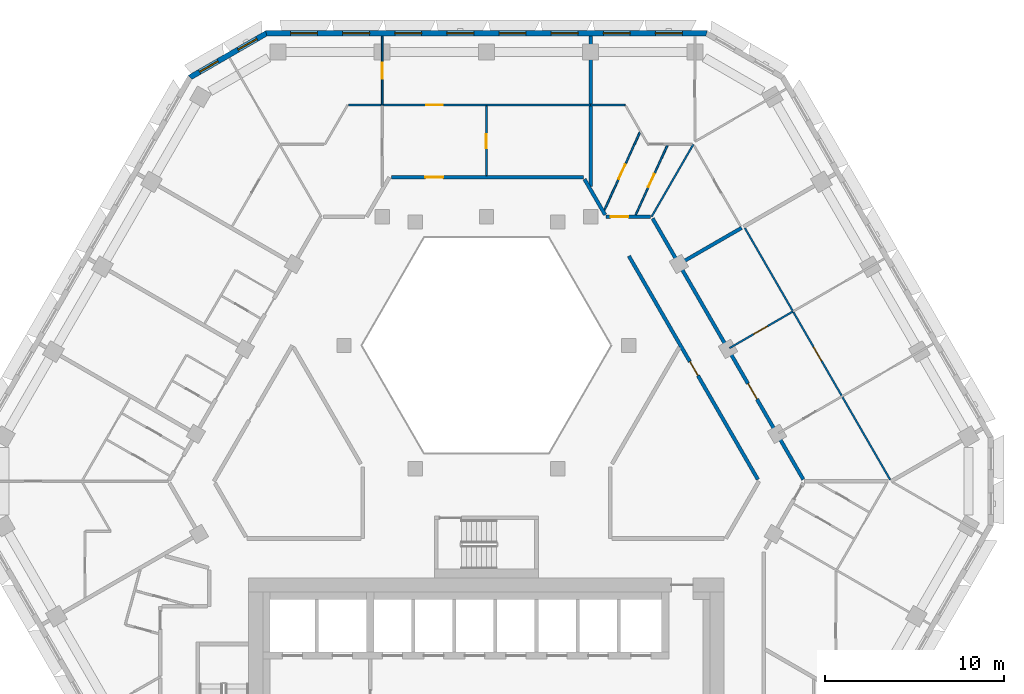
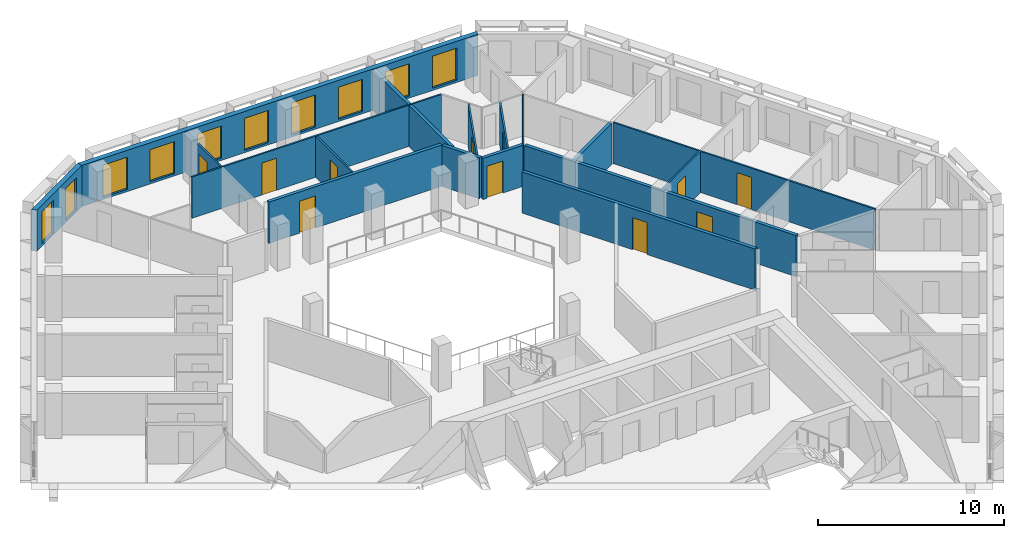
# One storey, part 8 of 17: 18 walls, 11 doors, 10 windows, 21 openings.
"""IFC4 building model written with IfcOpenShell, lengths in metres."""

import ifcopenshell
import ifcopenshell.guid

model = None  # the IFC model being written
_history = None  # IfcOwnerHistory: only IFC2X3 demands one
_inside = {}  # id of a spatial element -> (the spatial element, [elements in it])
_under = {}  # id of a project, library or spatial element -> (it, [spatial elements below it])
_declared = {}  # id of a project -> (the project, [libraries it declares])
_typed = {}  # id of a type object -> (the type object, [elements of that type])
_made_of = {}  # id of a material, layer set ... -> (it, [elements and type objects made of it])


def new_model(schema):
    """Start an empty IFC model of exactly this schema.

    Asked for "IFC4X3", IfcOpenShell would pick the latest addendum, in which some entities
    have other attributes; the version numbers below select the first issue.
    IFC2X3 requires an IfcOwnerHistory on every rooted entity: one is made here for all.
    """
    global model, _history
    if schema == "IFC4X3":
        model = ifcopenshell.file(schema_version=(4, 3, 0, 0))
    else:
        model = ifcopenshell.file(schema=schema)
    _inside.clear()
    _under.clear()
    _declared.clear()
    _typed.clear()
    _made_of.clear()
    _history = None
    if model.schema == "IFC2X3":
        org = make("IfcOrganization", Name="unknown")
        user = make(
            "IfcPersonAndOrganization",
            ThePerson=make("IfcPerson", FamilyName="unknown"),
            TheOrganization=org,
        )
        app = make(
            "IfcApplication",
            ApplicationDeveloper=org,
            Version="unknown",
            ApplicationFullName="unknown",
            ApplicationIdentifier="unknown",
        )
        _history = make(
            "IfcOwnerHistory",
            OwningUser=user,
            OwningApplication=app,
            ChangeAction="ADDED",
            CreationDate=0,
        )
    return model


def make(cls, **values):
    """One entity of the class cls with the attributes given. An attribute that is None is left unset."""
    return model.create_entity(
        cls, **{name: value for name, value in values.items() if value is not None}
    )


def rooted(cls, **values):
    """An entity with a GlobalId (a new one), such as an element, a storey or a relation."""
    return make(cls, GlobalId=ifcopenshell.guid.new(), OwnerHistory=_history, **values)


def si_unit(unit_type, name, prefix=None):
    """IfcSIUnit, for example si_unit("LENGTHUNIT", "METRE", prefix="MILLI")."""
    return make("IfcSIUnit", UnitType=unit_type, Prefix=prefix, Name=name)


def assignment(units):
    """IfcUnitAssignment: the units of a project."""
    return None if units is None else make("IfcUnitAssignment", Units=units)


def point(xyz):
    """IfcCartesianPoint."""
    return None if xyz is None else make("IfcCartesianPoint", Coordinates=xyz)


def direction(xyz):
    """IfcDirection."""
    return None if xyz is None else make("IfcDirection", DirectionRatios=xyz)


def frame(location, z_axis=None, x_axis=None):
    """IfcAxis2Placement3D, a coordinate frame: its origin and axes. An axis left out is left unset."""
    return make(
        "IfcAxis2Placement3D",
        Location=point(location),
        Axis=direction(z_axis),
        RefDirection=direction(x_axis),
    )


def frame_2d(location, x_axis=None):
    """IfcAxis2Placement2D, a coordinate frame in the plane: its origin and x axis."""
    return make(
        "IfcAxis2Placement2D", Location=point(location), RefDirection=direction(x_axis)
    )


def origin():
    """The frame at (0, 0, 0) with its axes left unset."""
    return frame((0.0, 0.0, 0.0))


def place(relative_to, where):
    """IfcLocalPlacement: puts the frame where relative to a parent placement (None: the world)."""
    return make(
        "IfcLocalPlacement", PlacementRelTo=relative_to, RelativePlacement=where
    )


def context(
    kind, dimensions, precision=None, world=None, true_north=None, identifier=None
):
    """IfcGeometricRepresentationContext, for example the 3D "Model" context."""
    return make(
        "IfcGeometricRepresentationContext",
        ContextIdentifier=identifier,
        ContextType=kind,
        CoordinateSpaceDimension=dimensions,
        Precision=precision,
        WorldCoordinateSystem=world,
        TrueNorth=true_north,
    )


def subcontext(parent, identifier, kind, view, scale=None):
    """IfcGeometricRepresentationSubContext, for example "Body" below "Model"."""
    return make(
        "IfcGeometricRepresentationSubContext",
        ContextIdentifier=identifier,
        ContextType=kind,
        ParentContext=parent,
        TargetScale=scale,
        TargetView=view,
    )


def project(units=None, contexts=None):
    """IfcProject with its units and contexts."""
    return rooted(
        "IfcProject",
        Name="project",
        RepresentationContexts=contexts,
        UnitsInContext=assignment(units),
    )


def spatial(cls, under=None, at=None, **own):
    """A site, building, storey or space (cls), placed at a placement, below another one or the project."""
    s = rooted(cls, ObjectPlacement=at, **own)
    if under is not None:
        _under.setdefault(under.id(), (under, []))[1].append(s)
    return s


def polyline(points):
    """IfcPolyline through the points."""
    return make("IfcPolyline", Points=[point(p) for p in points])


def profile(cls, at=None, kind="AREA", **sizes):
    """A parametric profile (cls). Its sizes go by their IFC names, for example OverallWidth=200.0."""
    return make(cls, ProfileType=kind, Position=at, **sizes)


def rectangle(**sizes):
    """IfcRectangleProfileDef."""
    return profile("IfcRectangleProfileDef", **sizes)


def outline(outer, holes=None, kind="AREA"):
    """IfcArbitraryClosedProfileDef: a profile drawn as a closed curve; with holes, ...WithVoids."""
    if holes is None:
        return make("IfcArbitraryClosedProfileDef", ProfileType=kind, OuterCurve=outer)
    return make(
        "IfcArbitraryProfileDefWithVoids",
        ProfileType=kind,
        OuterCurve=outer,
        InnerCurves=holes,
    )


def extrude(swept, where, along, depth):
    """IfcExtrudedAreaSolid: the profile swept, set in the frame where, extruded along a direction by depth."""
    return make(
        "IfcExtrudedAreaSolid",
        SweptArea=swept,
        Position=where,
        ExtrudedDirection=direction(along),
        Depth=depth,
    )


def shape(context_of_items, identifier, shape_type, items):
    """IfcShapeRepresentation: the items that make up one representation, for example the "Body"."""
    return make(
        "IfcShapeRepresentation",
        ContextOfItems=context_of_items,
        RepresentationIdentifier=identifier,
        RepresentationType=shape_type,
        Items=items,
    )


def material(Name=None, Category=None):
    """IfcMaterial."""
    return make("IfcMaterial", Name=Name, Category=Category)


def layer(
    of_material, thickness, ventilated=None, Name=None, Category=None, Priority=None
):
    """IfcMaterialLayer: one layer of a wall or slab, of a material (None: an air gap)."""
    return make(
        "IfcMaterialLayer",
        Material=of_material,
        LayerThickness=thickness,
        IsVentilated=ventilated,
        Name=Name,
        Category=Category,
        Priority=Priority,
    )


def layer_set(layers, Name=None):
    """IfcMaterialLayerSet."""
    return make("IfcMaterialLayerSet", MaterialLayers=layers, LayerSetName=Name)


def made_of(thing, what):
    """Note that an element or type object is made of a material, layer set ...; save() writes the relation."""
    if what is not None:
        _made_of.setdefault(what.id(), (what, []))[1].append(thing)
    return thing


def type_object(cls, material=None, **own):
    """A type object (cls), such as IfcWallType, which elements share."""
    return made_of(rooted(cls, **own), material)


def element(
    cls,
    number,
    at=None,
    inside=None,
    cuts=None,
    type_object=None,
    material=None,
    context=None,
    identifier="Body",
    shape_type=None,
    held_by="IfcProductDefinitionShape",
    body=None,
    shapes=None,
    **own,
):
    """One element of the class cls, such as IfcWall. Its Tag is "e" and its number.

    at: its placement. inside: the storey or other place that contains it. cuts: it is an
    opening in that element (IfcRelVoidsElement). A single representation is given by context,
    identifier, shape_type and body (its items); several are given by shapes. held_by: the class
    of the entity that holds the representations. save() writes the other relations.
    """
    e = rooted(cls, Tag="e%d" % number, ObjectPlacement=at, **own)
    if body is not None:
        shapes = [shape(context, identifier, shape_type, body)]
    if shapes is not None:
        e.Representation = make(held_by, Representations=shapes)
    if inside is not None:
        _inside.setdefault(inside.id(), (inside, []))[1].append(e)
    if cuts is not None:
        rooted(
            "IfcRelVoidsElement", RelatingBuildingElement=cuts, RelatedOpeningElement=e
        )
    if type_object is not None:
        _typed.setdefault(type_object.id(), (type_object, []))[1].append(e)
    return made_of(e, material)


def fill(opening, filler):
    """IfcRelFillsElement: the door or window that sits in an opening."""
    return rooted(
        "IfcRelFillsElement",
        RelatingOpeningElement=opening,
        RelatedBuildingElement=filler,
    )


def aggregate(whole, parts):
    """IfcRelAggregates: a whole, such as a stair, and the parts it consists of."""
    return rooted("IfcRelAggregates", RelatingObject=whole, RelatedObjects=parts)


def save(model, path):
    """Write the relations noted so far, then the file.

    IfcRelAggregates (storeys below a building ...), IfcRelContainedInSpatialStructure (elements
    in a storey), IfcRelDefinesByType, IfcRelAssociatesMaterial and IfcRelDeclares: one each for
    every whole, place, type object, material and project.
    """
    for whole, parts in _under.values():
        aggregate(whole, parts)
    for where, things in _inside.values():
        rooted(
            "IfcRelContainedInSpatialStructure",
            RelatedElements=things,
            RelatingStructure=where,
        )
    for kind, things in _typed.values():
        rooted("IfcRelDefinesByType", RelatedObjects=things, RelatingType=kind)
    for what, things in _made_of.values():
        rooted("IfcRelAssociatesMaterial", RelatedObjects=things, RelatingMaterial=what)
    for by, libraries in _declared.values():
        rooted("IfcRelDeclares", RelatingContext=by, RelatedDefinitions=libraries)
    model.write(path)


model = new_model("IFC4")

# Units and contexts
model_context = context("Model", 3, precision=1e-05, world=origin(), true_north=direction((0.0, 1.0)))
body_context = subcontext(model_context, "Body", "Model", "MODEL_VIEW")
ifc_project = project(units=[si_unit("LENGTHUNIT", "METRE"), si_unit("AREAUNIT", "SQUARE_METRE"), si_unit("VOLUMEUNIT", "CUBIC_METRE"), si_unit("PLANEANGLEUNIT", "RADIAN"), si_unit("MASSUNIT", "GRAM", prefix="KILO")], contexts=[model_context])

# Site, building, storey
site_placement = place(None, origin())
site = spatial("IfcSite", under=ifc_project, at=site_placement, CompositionType="ELEMENT")
building_placement = place(site_placement, origin())
building = spatial("IfcBuilding", under=site, at=building_placement, Name="Beryl Residences", CompositionType="ELEMENT")
storey_placement = place(building_placement, frame((0.0, 0.0, 120.60009765625)))
storey = spatial("IfcBuildingStorey", under=building, at=storey_placement, Name="L36", CompositionType="ELEMENT", Elevation=120.60009765625)

# Wall, openings, windows
ifc_material_1 = material(Name="Composite metal panel with mineral wool insulation")
ifc_layer_1 = layer(ifc_material_1, 0.300048828125)
ifc_layer_set_1 = layer_set([ifc_layer_1], Name="ES1 pale metal composite panel wall 300 mm")
wall_type_1 = type_object("IfcWallType", Name="ES1 pale metal composite panel wall 300 mm", PredefinedType="SOLIDWALL", material=ifc_layer_set_1)
wall_1_placement = place(storey_placement, frame((12.35498046875, 25.449951171875, 0.0), z_axis=(0.0, 0.0, 1.0), x_axis=(-1.0, 0.0, 0.0)))
wall_1 = element("IfcWall", 1, at=wall_1_placement, inside=storey, type_object=wall_type_1, Name="ES1 external wall L36 N", PredefinedType="SOLIDWALL", context=body_context, shape_type="SweptSolid", body=[
    extrude(outline(polyline([(0.0, -0.14990234375), (24.7099609375, -0.14990234375), (24.629638671875, 0.14990234375), (0.080322265625, 0.14990234375), (0.0, -0.14990234375)])), origin(), (0.0, 0.0, 1.0), 2.699951171875),
])
opening_1_placement = place(wall_1_placement, frame((1.40087890625, 0.0, 0.14990234375)))
opening_1 = element("IfcOpeningElement", 2, at=opening_1_placement, cuts=wall_1, Name="Opening W1", PredefinedType="OPENING", context=body_context, shape_type="SweptSolid", body=[
    extrude(rectangle(XDim=1.5, YDim=2.10009765625, at=frame_2d((0.75, 1.050048828125))), frame((0.0, 0.159912109375, 0.0), z_axis=(0.0, -1.0, 0.0), x_axis=(1.0, 0.0, 0.0)), (0.0, 0.0, 1.0), 0.320068359375),
])
opening_2_placement = place(wall_1_placement, frame((4.31591796875, 0.0, 0.14990234375)))
opening_2 = element("IfcOpeningElement", 3, at=opening_2_placement, cuts=wall_1, Name="Opening W1", PredefinedType="OPENING", context=body_context, shape_type="SweptSolid", body=[
    extrude(rectangle(XDim=1.5, YDim=2.10009765625, at=frame_2d((0.75, 1.050048828125))), frame((0.0, 0.159912109375, 0.0), z_axis=(0.0, -1.0, 0.0), x_axis=(1.0, 0.0, 0.0)), (0.0, 0.0, 1.0), 0.320068359375),
])
opening_3_placement = place(wall_1_placement, frame((7.23193359375, 0.0, 0.14990234375)))
opening_3 = element("IfcOpeningElement", 4, at=opening_3_placement, cuts=wall_1, Name="Opening W1", PredefinedType="OPENING", context=body_context, shape_type="SweptSolid", body=[
    extrude(rectangle(XDim=1.5, YDim=2.10009765625, at=frame_2d((0.75, 1.050048828125))), frame((0.0, 0.159912109375, 0.0), z_axis=(0.0, -1.0, 0.0), x_axis=(1.0, 0.0, 0.0)), (0.0, 0.0, 1.0), 0.320068359375),
])
opening_4_placement = place(wall_1_placement, frame((10.14697265625, 0.0, 0.14990234375)))
opening_4 = element("IfcOpeningElement", 5, at=opening_4_placement, cuts=wall_1, Name="Opening W1", PredefinedType="OPENING", context=body_context, shape_type="SweptSolid", body=[
    extrude(rectangle(XDim=1.5, YDim=2.10009765625, at=frame_2d((0.75, 1.050048828125))), frame((0.0, 0.159912109375, 0.0), z_axis=(0.0, -1.0, 0.0), x_axis=(1.0, 0.0, 0.0)), (0.0, 0.0, 1.0), 0.320068359375),
])
opening_5_placement = place(wall_1_placement, frame((13.06298828125, 0.0, 0.14990234375)))
opening_5 = element("IfcOpeningElement", 6, at=opening_5_placement, cuts=wall_1, Name="Opening W1", PredefinedType="OPENING", context=body_context, shape_type="SweptSolid", body=[
    extrude(rectangle(XDim=1.5, YDim=2.10009765625, at=frame_2d((0.75, 1.050048828125))), frame((0.0, 0.159912109375, 0.0), z_axis=(0.0, -1.0, 0.0), x_axis=(1.0, 0.0, 0.0)), (0.0, 0.0, 1.0), 0.320068359375),
])
opening_6_placement = place(wall_1_placement, frame((15.97802734375, 0.0, 0.14990234375)))
opening_6 = element("IfcOpeningElement", 7, at=opening_6_placement, cuts=wall_1, Name="Opening W1", PredefinedType="OPENING", context=body_context, shape_type="SweptSolid", body=[
    extrude(rectangle(XDim=1.5, YDim=2.10009765625, at=frame_2d((0.75, 1.050048828125))), frame((0.0, 0.159912109375, 0.0), z_axis=(0.0, -1.0, 0.0), x_axis=(1.0, 0.0, 0.0)), (0.0, 0.0, 1.0), 0.320068359375),
])
opening_7_placement = place(wall_1_placement, frame((18.89404296875, 0.0, 0.14990234375)))
opening_7 = element("IfcOpeningElement", 8, at=opening_7_placement, cuts=wall_1, Name="Opening W1", PredefinedType="OPENING", context=body_context, shape_type="SweptSolid", body=[
    extrude(rectangle(XDim=1.5, YDim=2.10009765625, at=frame_2d((0.75, 1.050048828125))), frame((0.0, 0.159912109375, 0.0), z_axis=(0.0, -1.0, 0.0), x_axis=(1.0, 0.0, 0.0)), (0.0, 0.0, 1.0), 0.320068359375),
])
opening_8_placement = place(wall_1_placement, frame((21.80908203125, 0.0, 0.14990234375)))
opening_8 = element("IfcOpeningElement", 9, at=opening_8_placement, cuts=wall_1, Name="Opening W1", PredefinedType="OPENING", context=body_context, shape_type="SweptSolid", body=[
    extrude(rectangle(XDim=1.5, YDim=2.10009765625, at=frame_2d((0.75, 1.050048828125))), frame((0.0, 0.159912109375, 0.0), z_axis=(0.0, -1.0, 0.0), x_axis=(1.0, 0.0, 0.0)), (0.0, 0.0, 1.0), 0.320068359375),
])
ifc_material_2 = material(Name="Aluminium and clear glass", Category="aluminium")
window_type_1 = type_object("IfcWindowType", Name="W1 cell window 1500 x 2100 mm", PartitioningType="SINGLE_PANEL", PredefinedType="WINDOW", material=ifc_material_2)
window_1_placement = place(opening_1_placement, origin())
window_1 = element("IfcWindow", 10, at=window_1_placement, inside=storey, type_object=window_type_1, Name="W1 window L36 N 1", OverallHeight=2.10009765625, OverallWidth=1.5, PartitioningType="SINGLE_PANEL", PredefinedType="WINDOW", context=body_context, shape_type="SweptSolid", body=[
    extrude(rectangle(XDim=1.5, YDim=2.10009765625, at=frame_2d((0.75, 1.050048828125))), frame((0.0, 0.030029296875, 0.0), z_axis=(0.0, -1.0, 0.0), x_axis=(1.0, 0.0, 0.0)), (0.0, 0.0, 1.0), 0.06005859375),
])
fill(opening_1, window_1)
window_2_placement = place(opening_2_placement, origin())
window_2 = element("IfcWindow", 11, at=window_2_placement, inside=storey, type_object=window_type_1, Name="W1 window L36 N 2", OverallHeight=2.10009765625, OverallWidth=1.5, PartitioningType="SINGLE_PANEL", PredefinedType="WINDOW", context=body_context, shape_type="SweptSolid", body=[
    extrude(rectangle(XDim=1.5, YDim=2.10009765625, at=frame_2d((0.75, 1.050048828125))), frame((0.0, 0.030029296875, 0.0), z_axis=(0.0, -1.0, 0.0), x_axis=(1.0, 0.0, 0.0)), (0.0, 0.0, 1.0), 0.06005859375),
])
fill(opening_2, window_2)
window_3_placement = place(opening_3_placement, origin())
window_3 = element("IfcWindow", 12, at=window_3_placement, inside=storey, type_object=window_type_1, Name="W1 window L36 N 3", OverallHeight=2.10009765625, OverallWidth=1.5, PartitioningType="SINGLE_PANEL", PredefinedType="WINDOW", context=body_context, shape_type="SweptSolid", body=[
    extrude(rectangle(XDim=1.5, YDim=2.10009765625, at=frame_2d((0.75, 1.050048828125))), frame((0.0, 0.030029296875, 0.0), z_axis=(0.0, -1.0, 0.0), x_axis=(1.0, 0.0, 0.0)), (0.0, 0.0, 1.0), 0.06005859375),
])
fill(opening_3, window_3)
window_4_placement = place(opening_4_placement, origin())
window_4 = element("IfcWindow", 13, at=window_4_placement, inside=storey, type_object=window_type_1, Name="W1 window L36 N 4", OverallHeight=2.10009765625, OverallWidth=1.5, PartitioningType="SINGLE_PANEL", PredefinedType="WINDOW", context=body_context, shape_type="SweptSolid", body=[
    extrude(rectangle(XDim=1.5, YDim=2.10009765625, at=frame_2d((0.75, 1.050048828125))), frame((0.0, 0.030029296875, 0.0), z_axis=(0.0, -1.0, 0.0), x_axis=(1.0, 0.0, 0.0)), (0.0, 0.0, 1.0), 0.06005859375),
])
fill(opening_4, window_4)
window_5_placement = place(opening_5_placement, origin())
window_5 = element("IfcWindow", 14, at=window_5_placement, inside=storey, type_object=window_type_1, Name="W1 window L36 N 5", OverallHeight=2.10009765625, OverallWidth=1.5, PartitioningType="SINGLE_PANEL", PredefinedType="WINDOW", context=body_context, shape_type="SweptSolid", body=[
    extrude(rectangle(XDim=1.5, YDim=2.10009765625, at=frame_2d((0.75, 1.050048828125))), frame((0.0, 0.030029296875, 0.0), z_axis=(0.0, -1.0, 0.0), x_axis=(1.0, 0.0, 0.0)), (0.0, 0.0, 1.0), 0.06005859375),
])
fill(opening_5, window_5)
window_6_placement = place(opening_6_placement, origin())
window_6 = element("IfcWindow", 15, at=window_6_placement, inside=storey, type_object=window_type_1, Name="W1 window L36 N 6", OverallHeight=2.10009765625, OverallWidth=1.5, PartitioningType="SINGLE_PANEL", PredefinedType="WINDOW", context=body_context, shape_type="SweptSolid", body=[
    extrude(rectangle(XDim=1.5, YDim=2.10009765625, at=frame_2d((0.75, 1.050048828125))), frame((0.0, 0.030029296875, 0.0), z_axis=(0.0, -1.0, 0.0), x_axis=(1.0, 0.0, 0.0)), (0.0, 0.0, 1.0), 0.06005859375),
])
fill(opening_6, window_6)
window_7_placement = place(opening_7_placement, origin())
window_7 = element("IfcWindow", 16, at=window_7_placement, inside=storey, type_object=window_type_1, Name="W1 window L36 N 7", OverallHeight=2.10009765625, OverallWidth=1.5, PartitioningType="SINGLE_PANEL", PredefinedType="WINDOW", context=body_context, shape_type="SweptSolid", body=[
    extrude(rectangle(XDim=1.5, YDim=2.10009765625, at=frame_2d((0.75, 1.050048828125))), frame((0.0, 0.030029296875, 0.0), z_axis=(0.0, -1.0, 0.0), x_axis=(1.0, 0.0, 0.0)), (0.0, 0.0, 1.0), 0.06005859375),
])
fill(opening_7, window_7)
window_8_placement = place(opening_8_placement, origin())
window_8 = element("IfcWindow", 17, at=window_8_placement, inside=storey, type_object=window_type_1, Name="W1 window L36 N 8", OverallHeight=2.10009765625, OverallWidth=1.5, PartitioningType="SINGLE_PANEL", PredefinedType="WINDOW", context=body_context, shape_type="SweptSolid", body=[
    extrude(rectangle(XDim=1.5, YDim=2.10009765625, at=frame_2d((0.75, 1.050048828125))), frame((0.0, 0.030029296875, 0.0), z_axis=(0.0, -1.0, 0.0), x_axis=(1.0, 0.0, 0.0)), (0.0, 0.0, 1.0), 0.06005859375),
])
fill(opening_8, window_8)

wall_2_placement = place(storey_placement, frame((-12.280029296875, 25.469970703125, 0.0), z_axis=(0.0, 0.0, 1.0), x_axis=(-0.866022959057, -0.500004234368, 0.0)))
wall_2 = element("IfcWall", 18, at=wall_2_placement, inside=storey, type_object=wall_type_1, Name="ES1 external wall L36 N-NW", PredefinedType="SOLIDWALL", context=body_context, shape_type="SweptSolid", body=[
    extrude(outline(polyline([(0.0, -0.14990234375), (5.0, -0.14990234375), (4.919677734375, 0.14990234375), (0.080322265625, 0.14990234375), (0.0, -0.14990234375)])), origin(), (0.0, 0.0, 1.0), 2.699951171875),
])
opening_9_placement = place(wall_2_placement, frame((0.64990234375, 0.0, 0.14990234375)))
opening_9 = element("IfcOpeningElement", 19, at=opening_9_placement, cuts=wall_2, Name="Opening W2", PredefinedType="OPENING", context=body_context, shape_type="SweptSolid", body=[
    extrude(rectangle(XDim=1.199951171875, YDim=2.10009765625, at=frame_2d((0.60009765625, 1.050048828125))), frame((0.0, 0.159912109375, 0.0), z_axis=(0.0, -1.0, 0.0), x_axis=(1.0, 0.0, 0.0)), (0.0, 0.0, 1.0), 0.320068359375),
])
opening_10_placement = place(wall_2_placement, frame((3.14892578125, 0.0, 0.14990234375)))
opening_10 = element("IfcOpeningElement", 20, at=opening_10_placement, cuts=wall_2, Name="Opening W2", PredefinedType="OPENING", context=body_context, shape_type="SweptSolid", body=[
    extrude(rectangle(XDim=1.199951171875, YDim=2.10009765625, at=frame_2d((0.60009765625, 1.050048828125))), frame((0.0, 0.159912109375, 0.0), z_axis=(0.0, -1.0, 0.0), x_axis=(1.0, 0.0, 0.0)), (0.0, 0.0, 1.0), 0.320068359375),
])
ifc_material_3 = material(Name="Aluminium and clear glass", Category="aluminium")
window_type_2 = type_object("IfcWindowType", Name="W2 chamfer window 1200 x 2100 mm", PartitioningType="SINGLE_PANEL", PredefinedType="WINDOW", material=ifc_material_3)
window_9_placement = place(opening_9_placement, origin())
window_9 = element("IfcWindow", 21, at=window_9_placement, inside=storey, type_object=window_type_2, Name="W2 window L36 N-NW 1", OverallHeight=2.10009765625, OverallWidth=1.199951171875, PartitioningType="SINGLE_PANEL", PredefinedType="WINDOW", context=body_context, shape_type="SweptSolid", body=[
    extrude(rectangle(XDim=1.199951171875, YDim=2.10009765625, at=frame_2d((0.60009765625, 1.050048828125))), frame((0.0, 0.030029296875, 0.0), z_axis=(0.0, -1.0, 0.0), x_axis=(1.0, 0.0, 0.0)), (0.0, 0.0, 1.0), 0.06005859375),
])
fill(opening_9, window_9)
window_10_placement = place(opening_10_placement, origin())
window_10 = element("IfcWindow", 22, at=window_10_placement, inside=storey, type_object=window_type_2, Name="W2 window L36 N-NW 2", OverallHeight=2.10009765625, OverallWidth=1.199951171875, PartitioningType="SINGLE_PANEL", PredefinedType="WINDOW", context=body_context, shape_type="SweptSolid", body=[
    extrude(rectangle(XDim=1.199951171875, YDim=2.10009765625, at=frame_2d((0.60009765625, 1.050048828125))), frame((0.0, 0.030029296875, 0.0), z_axis=(0.0, -1.0, 0.0), x_axis=(1.0, 0.0, 0.0)), (0.0, 0.0, 1.0), 0.06005859375),
])
fill(opening_10, window_10)

# Wall, opening, door
ifc_material_4 = material(Name="Gypsum board partition on steel studs", Category="steel")
ifc_layer_2 = layer(ifc_material_4, 0.10009765625)
ifc_layer_set_2 = layer_set([ifc_layer_2], Name="PT1 partition 100 mm gypsum board on steel studs")
wall_type_2 = type_object("IfcWallType", Name="PT1 partition 100 mm gypsum board on steel studs", PredefinedType="PARTITIONING", material=ifc_layer_set_2)
wall_3_placement = place(storey_placement, frame((14.455078125, 14.56298828125, 0.0), z_axis=(0.0, 0.0, 1.0), x_axis=(0.500009803579, -0.866019743612, 0.0)))
wall_3 = element("IfcWall", 23, at=wall_3_placement, inside=storey, type_object=wall_type_2, Name="Wall PT1 L36 005", PredefinedType="PARTITIONING", context=body_context, shape_type="SweptSolid", body=[
    extrude(rectangle(XDim=16.253662109375, YDim=0.10009765625, at=frame_2d((8.126953125, 0.0))), origin(), (0.0, 0.0, 1.0), 2.699951171875),
])
opening_11_placement = place(wall_3_placement, frame((7.677001953125, 0.0, 0.0)))
opening_11 = element("IfcOpeningElement", 24, at=opening_11_placement, cuts=wall_3, Name="Opening D1050", PredefinedType="OPENING", context=body_context, shape_type="SweptSolid", body=[
    extrude(rectangle(XDim=0.89990234375, YDim=2.10009765625, at=frame_2d((0.449951171875, 1.050048828125))), frame((0.0, 0.06005859375, 0.0), z_axis=(0.0, -1.0, 0.0), x_axis=(1.0, 0.0, 0.0)), (0.0, 0.0, 1.0), 0.1201171875),
])
ifc_material_5 = material(Name="Timber door leaf", Category="wood")
door_type_1 = type_object("IfcDoorType", Name="D2 room door 900 x 2100 mm", OperationType="SINGLE_SWING_LEFT", PredefinedType="DOOR", material=ifc_material_5)
door_1_placement = place(opening_11_placement, origin())
door_1 = element("IfcDoor", 25, at=door_1_placement, inside=storey, type_object=door_type_1, Name="Door D1050 L36 001", OperationType="SINGLE_SWING_RIGHT", OverallHeight=2.10009765625, OverallWidth=0.89990234375, PredefinedType="DOOR", context=body_context, shape_type="SweptSolid", body=[
    extrude(rectangle(XDim=0.89990234375, YDim=2.10009765625, at=frame_2d((0.449951171875, 1.050048828125))), frame((0.0, 0.02490234375, 0.0), z_axis=(0.0, -1.0, 0.0), x_axis=(1.0, 0.0, 0.0)), (0.0, 0.0, 1.0), 0.050048828125),
])
fill(opening_11, door_1)

wall_4_placement = place(storey_placement, frame((-7.7060546875, 21.446044921875, 0.0), z_axis=(0.0, 0.0, 1.0), x_axis=(1.0, 0.0, 0.0)))
wall_4 = element("IfcWall", 26, at=wall_4_placement, inside=storey, type_object=wall_type_2, Name="Wall PT1 L36 029", PredefinedType="PARTITIONING", context=body_context, shape_type="SweptSolid", body=[
    extrude(rectangle(XDim=13.537109375, YDim=0.10009765625, at=frame_2d((6.7685546875, 0.0))), origin(), (0.0, 0.0, 1.0), 2.699951171875),
])
opening_12_placement = place(wall_4_placement, frame((4.35009765625, 0.0, 0.0)))
opening_12 = element("IfcOpeningElement", 27, at=opening_12_placement, cuts=wall_4, Name="Opening D1009", PredefinedType="OPENING", context=body_context, shape_type="SweptSolid", body=[
    extrude(rectangle(XDim=0.89990234375, YDim=2.10009765625, at=frame_2d((0.449951171875, 1.050048828125))), frame((0.0, 0.06005859375, 0.0), z_axis=(0.0, -1.0, 0.0), x_axis=(1.0, 0.0, 0.0)), (0.0, 0.0, 1.0), 0.1201171875),
])
door_2_placement = place(opening_12_placement, origin())
door_2 = element("IfcDoor", 28, at=door_2_placement, inside=storey, type_object=door_type_1, Name="Door D1009 L36 001", OperationType="SINGLE_SWING_LEFT", OverallHeight=2.10009765625, OverallWidth=0.89990234375, PredefinedType="DOOR", context=body_context, shape_type="SweptSolid", body=[
    extrude(rectangle(XDim=0.89990234375, YDim=2.10009765625, at=frame_2d((0.449951171875, 1.050048828125))), frame((0.0, 0.02490234375, 0.0), z_axis=(0.0, -1.0, 0.0), x_axis=(1.0, 0.0, 0.0)), (0.0, 0.0, 1.0), 0.050048828125),
])
fill(opening_12, door_2)

# Wall
wall_5_placement = place(storey_placement, frame((9.238037109375, 15.199951171875, 0.0), z_axis=(0.0, 0.0, 1.0), x_axis=(0.499983303743, 0.866035043158, 0.0)))
element("IfcWall", 29, at=wall_5_placement, inside=storey, type_object=wall_type_2, Name="Wall PT1 L36 030", PredefinedType="PARTITIONING", context=body_context, shape_type="SweptSolid", body=[
    extrude(rectangle(XDim=4.672119140625, YDim=0.10009765625, at=frame_2d((2.3359375, 0.0))), origin(), (0.0, 0.0, 1.0), 2.699951171875),
])

# Wall, opening, door
wall_6_placement = place(storey_placement, frame((8.345947265625, 15.300048828125, 0.0), z_axis=(0.0, 0.0, 1.0), x_axis=(0.415189790387, 0.909734817383, 0.0)))
wall_6 = element("IfcWall", 30, at=wall_6_placement, inside=storey, type_object=wall_type_2, Name="Wall PT1 L36 037", PredefinedType="PARTITIONING", context=body_context, shape_type="SweptSolid", body=[
    extrude(rectangle(XDim=4.282470703125, YDim=0.10009765625, at=frame_2d((2.14111328125, 0.0))), origin(), (0.0, 0.0, 1.0), 2.699951171875),
])
opening_13_placement = place(wall_6_placement, frame((1.714111328125, 0.0, 0.0)))
opening_13 = element("IfcOpeningElement", 31, at=opening_13_placement, cuts=wall_6, Name="Opening D1003", PredefinedType="OPENING", context=body_context, shape_type="SweptSolid", body=[
    extrude(rectangle(XDim=0.800048828125, YDim=2.10009765625, at=frame_2d((0.39990234375, 1.050048828125))), frame((0.0, 0.06005859375, 0.0), z_axis=(0.0, -1.0, 0.0), x_axis=(1.0, 0.0, 0.0)), (0.0, 0.0, 1.0), 0.1201171875),
])
ifc_material_6 = material(Name="Timber door leaf", Category="wood")
door_type_2 = type_object("IfcDoorType", Name="D3 bathroom door 800 x 2100 mm", OperationType="SINGLE_SWING_LEFT", PredefinedType="DOOR", material=ifc_material_6)
door_3_placement = place(opening_13_placement, origin())
door_3 = element("IfcDoor", 32, at=door_3_placement, inside=storey, type_object=door_type_2, Name="Door D1003 L36 001", OperationType="SINGLE_SWING_LEFT", OverallHeight=2.10009765625, OverallWidth=0.800048828125, PredefinedType="DOOR", context=body_context, shape_type="SweptSolid", body=[
    extrude(rectangle(XDim=0.800048828125, YDim=2.10009765625, at=frame_2d((0.39990234375, 1.050048828125))), frame((0.0, 0.02490234375, 0.0), z_axis=(0.0, -1.0, 0.0), x_axis=(1.0, 0.0, 0.0)), (0.0, 0.0, 1.0), 0.050048828125),
])
fill(opening_13, door_3)

wall_7_placement = place(storey_placement, frame((6.60009765625, 15.569091796875, 0.0), z_axis=(0.0, 0.0, 1.0), x_axis=(0.415221636251, 0.909720282718, 0.0)))
wall_7 = element("IfcWall", 33, at=wall_7_placement, inside=storey, type_object=wall_type_2, Name="Wall PT1 L36 038", PredefinedType="PARTITIONING", context=body_context, shape_type="SweptSolid", body=[
    extrude(rectangle(XDim=4.78271484375, YDim=0.10009765625, at=frame_2d((2.391357421875, 0.0))), origin(), (0.0, 0.0, 1.0), 2.699951171875),
])
opening_14_placement = place(wall_7_placement, frame((1.910888671875, 0.0, 0.0)))
opening_14 = element("IfcOpeningElement", 34, at=opening_14_placement, cuts=wall_7, Name="Opening D1002", PredefinedType="OPENING", context=body_context, shape_type="SweptSolid", body=[
    extrude(rectangle(XDim=0.89990234375, YDim=2.10009765625, at=frame_2d((0.449951171875, 1.050048828125))), frame((0.0, 0.06005859375, 0.0), z_axis=(0.0, -1.0, 0.0), x_axis=(1.0, 0.0, 0.0)), (0.0, 0.0, 1.0), 0.1201171875),
])
door_4_placement = place(opening_14_placement, origin())
door_4 = element("IfcDoor", 35, at=door_4_placement, inside=storey, type_object=door_type_1, Name="Door D1002 L36 001", OperationType="SINGLE_SWING_RIGHT", OverallHeight=2.10009765625, OverallWidth=0.89990234375, PredefinedType="DOOR", context=body_context, shape_type="SweptSolid", body=[
    extrude(rectangle(XDim=0.89990234375, YDim=2.10009765625, at=frame_2d((0.449951171875, 1.050048828125))), frame((0.0, 0.02490234375, 0.0), z_axis=(0.0, -1.0, 0.0), x_axis=(1.0, 0.0, 0.0)), (0.0, 0.0, 1.0), 0.050048828125),
])
fill(opening_14, door_4)

wall_8_placement = place(storey_placement, frame((0.0, 17.5, 0.0), z_axis=(0.0, 0.0, 1.0), x_axis=(0.0, 1.0, 0.0)))
wall_8 = element("IfcWall", 36, at=wall_8_placement, inside=storey, type_object=wall_type_2, Name="Wall PT1 L36 044", PredefinedType="PARTITIONING", context=body_context, shape_type="SweptSolid", body=[
    extrude(rectangle(XDim=3.89599609375, YDim=0.10009765625, at=frame_2d((1.947998046875, 0.0))), origin(), (0.0, 0.0, 1.0), 2.699951171875),
])
opening_15_placement = place(wall_8_placement, frame((1.52294921875, 0.0, 0.0)))
opening_15 = element("IfcOpeningElement", 37, at=opening_15_placement, cuts=wall_8, Name="Opening D1011", PredefinedType="OPENING", context=body_context, shape_type="SweptSolid", body=[
    extrude(rectangle(XDim=0.800048828125, YDim=2.10009765625, at=frame_2d((0.39990234375, 1.050048828125))), frame((0.0, 0.06005859375, 0.0), z_axis=(0.0, -1.0, 0.0), x_axis=(1.0, 0.0, 0.0)), (0.0, 0.0, 1.0), 0.1201171875),
])
door_5_placement = place(opening_15_placement, origin())
door_5 = element("IfcDoor", 38, at=door_5_placement, inside=storey, type_object=door_type_2, Name="Door D1011 L36 001", OperationType="SINGLE_SWING_LEFT", OverallHeight=2.10009765625, OverallWidth=0.800048828125, PredefinedType="DOOR", context=body_context, shape_type="SweptSolid", body=[
    extrude(rectangle(XDim=0.800048828125, YDim=2.10009765625, at=frame_2d((0.39990234375, 1.050048828125))), frame((0.0, 0.02490234375, 0.0), z_axis=(0.0, -1.0, 0.0), x_axis=(1.0, 0.0, 0.0)), (0.0, 0.0, 1.0), 0.050048828125),
])
fill(opening_15, door_5)

wall_9_placement = place(storey_placement, frame((13.596923828125, 7.85009765625, 0.0), z_axis=(0.0, 0.0, 1.0), x_axis=(0.866006068523, 0.500033488159, 0.0)))
wall_9 = element("IfcWall", 39, at=wall_9_placement, inside=storey, type_object=wall_type_2, Name="Wall PT1 L36 052", PredefinedType="PARTITIONING", context=body_context, shape_type="SweptSolid", body=[
    extrude(rectangle(XDim=4.099365234375, YDim=0.10009765625, at=frame_2d((2.0498046875, 0.0))), origin(), (0.0, 0.0, 1.0), 2.699951171875),
])
opening_16_placement = place(wall_9_placement, frame((1.550048828125, 0.0, 0.0)))
opening_16 = element("IfcOpeningElement", 40, at=opening_16_placement, cuts=wall_9, Name="Opening D1052", PredefinedType="OPENING", context=body_context, shape_type="SweptSolid", body=[
    extrude(rectangle(XDim=0.89990234375, YDim=2.10009765625, at=frame_2d((0.449951171875, 1.050048828125))), frame((0.0, 0.06005859375, 0.0), z_axis=(0.0, -1.0, 0.0), x_axis=(1.0, 0.0, 0.0)), (0.0, 0.0, 1.0), 0.1201171875),
])
door_6_placement = place(opening_16_placement, origin())
door_6 = element("IfcDoor", 41, at=door_6_placement, inside=storey, type_object=door_type_1, Name="Door D1052 L36 001", OperationType="SINGLE_SWING_RIGHT", OverallHeight=2.10009765625, OverallWidth=0.89990234375, PredefinedType="DOOR", context=body_context, shape_type="SweptSolid", body=[
    extrude(rectangle(XDim=0.89990234375, YDim=2.10009765625, at=frame_2d((0.449951171875, 1.050048828125))), frame((0.0, 0.02490234375, 0.0), z_axis=(0.0, -1.0, 0.0), x_axis=(1.0, 0.0, 0.0)), (0.0, 0.0, 1.0), 0.050048828125),
])
fill(opening_16, door_6)

wall_10_placement = place(storey_placement, frame((-5.8310546875, 21.446044921875, 0.0), z_axis=(0.0, 0.0, 1.0), x_axis=(0.0, 1.0, 0.0)))
wall_10 = element("IfcWall", 42, at=wall_10_placement, inside=storey, type_object=wall_type_2, Name="Wall PT1 L36 056", PredefinedType="PARTITIONING", context=body_context, shape_type="SweptSolid", body=[
    extrude(rectangle(XDim=3.85400390625, YDim=0.10009765625, at=frame_2d((1.927001953125, 0.0))), origin(), (0.0, 0.0, 1.0), 2.699951171875),
])
opening_17_placement = place(wall_10_placement, frame((1.47705078125, 0.0, 0.0)))
opening_17 = element("IfcOpeningElement", 43, at=opening_17_placement, cuts=wall_10, Name="Opening D1012", PredefinedType="OPENING", context=body_context, shape_type="SweptSolid", body=[
    extrude(rectangle(XDim=0.89990234375, YDim=2.10009765625, at=frame_2d((0.449951171875, 1.050048828125))), frame((0.0, 0.06005859375, 0.0), z_axis=(0.0, -1.0, 0.0), x_axis=(1.0, 0.0, 0.0)), (0.0, 0.0, 1.0), 0.1201171875),
])
door_7_placement = place(opening_17_placement, origin())
door_7 = element("IfcDoor", 44, at=door_7_placement, inside=storey, type_object=door_type_1, Name="Door D1012 L36 001", OperationType="SINGLE_SWING_RIGHT", OverallHeight=2.10009765625, OverallWidth=0.89990234375, PredefinedType="DOOR", context=body_context, shape_type="SweptSolid", body=[
    extrude(rectangle(XDim=0.89990234375, YDim=2.10009765625, at=frame_2d((0.449951171875, 1.050048828125))), frame((0.0, 0.02490234375, 0.0), z_axis=(0.0, -1.0, 0.0), x_axis=(1.0, 0.0, 0.0)), (0.0, 0.0, 1.0), 0.050048828125),
])
fill(opening_17, door_7)

# Walls
wall_11_placement = place(storey_placement, frame((5.8310546875, 21.446044921875, 0.0), z_axis=(0.0, 0.0, 1.0), x_axis=(1.0, 0.0, 0.0)))
element("IfcWall", 45, at=wall_11_placement, inside=storey, type_object=wall_type_2, Name="Wall PT1 L36 057", PredefinedType="PARTITIONING", context=body_context, shape_type="SweptSolid", body=[
    extrude(rectangle(XDim=1.931884765625, YDim=0.10009765625, at=frame_2d((0.9658203125, 0.0))), origin(), (0.0, 0.0, 1.0), 2.699951171875),
])
ifc_material_7 = material(Name="Acoustic double stud gypsum board wall")
ifc_layer_3 = layer(ifc_material_7, 0.199951171875)
ifc_layer_set_3 = layer_set([ifc_layer_3], Name="PT3 party wall 200 mm acoustic double stud")
wall_type_3 = type_object("IfcWallType", Name="PT3 party wall 200 mm acoustic double stud", PredefinedType="PARTITIONING", material=ifc_layer_set_3)
wall_12_placement = place(storey_placement, frame((5.8310546875, 16.89990234375, 0.0), z_axis=(0.0, 0.0, 1.0), x_axis=(0.0, 1.0, 0.0)))
element("IfcWall", 46, at=wall_12_placement, inside=storey, type_object=wall_type_3, Name="Wall PT3 L36 008", PredefinedType="PARTITIONING", context=body_context, shape_type="SweptSolid", body=[
    extrude(rectangle(XDim=8.400146484375, YDim=0.199951171875, at=frame_2d((4.2001953125, 0.0))), origin(), (0.0, 0.0, 1.0), 2.699951171875),
])
wall_13_placement = place(storey_placement, frame((10.85400390625, 12.60009765625, 0.0), z_axis=(0.0, 0.0, 1.0), x_axis=(0.866076396086, 0.499911668341, 0.0)))
element("IfcWall", 47, at=wall_13_placement, inside=storey, type_object=wall_type_3, Name="Wall PT3 L36 011", PredefinedType="PARTITIONING", context=body_context, shape_type="SweptSolid", body=[
    extrude(rectangle(XDim=3.946533203125, YDim=0.199951171875, at=frame_2d((1.97314453125, 0.0))), origin(), (0.0, 0.0, 1.0), 2.699951171875),
])
ifc_material_8 = material(Name="Double stud gypsum board wall")
ifc_layer_4 = layer(ifc_material_8, 0.199951171875)
ifc_layer_set_4 = layer_set([ifc_layer_4], Name="PT4 corridor wall 200 mm double stud")
wall_type_4 = type_object("IfcWallType", Name="PT4 corridor wall 200 mm double stud", PredefinedType="PARTITIONING", material=ifc_layer_set_4)
wall_14_placement = place(storey_placement, frame((5.485107421875, 17.300048828125, 0.0), z_axis=(0.0, 0.0, 1.0), x_axis=(0.500027479704, -0.866009537788, 0.0)))
element("IfcWall", 48, at=wall_14_placement, inside=storey, type_object=wall_type_4, Name="Wall PT4 L36 004", PredefinedType="PARTITIONING", context=body_context, shape_type="SweptSolid", body=[
    extrude(rectangle(XDim=2.309326171875, YDim=0.199951171875, at=frame_2d((1.15478515625, 0.0))), origin(), (0.0, 0.0, 1.0), 2.699951171875),
])

# Wall, opening, door
wall_15_placement = place(storey_placement, frame((7.967041015625, 13.0, 0.0), z_axis=(0.0, 0.0, 1.0), x_axis=(0.50003774998, -0.866003607726, 0.0)))
wall_15 = element("IfcWall", 49, at=wall_15_placement, inside=storey, type_object=wall_type_4, Name="Wall PT4 L36 005", PredefinedType="PARTITIONING", context=body_context, shape_type="SweptSolid", body=[
    extrude(rectangle(XDim=14.43310546875, YDim=0.199951171875, at=frame_2d((7.216552734375, 0.0))), origin(), (0.0, 0.0, 1.0), 2.699951171875),
])
opening_18_placement = place(wall_15_placement, frame((6.823974609375, 0.0, 0.0)))
opening_18 = element("IfcOpeningElement", 50, at=opening_18_placement, cuts=wall_15, Name="Opening D1056", PredefinedType="OPENING", context=body_context, shape_type="SweptSolid", body=[
    extrude(rectangle(XDim=0.89990234375, YDim=2.10009765625, at=frame_2d((0.449951171875, 1.050048828125))), frame((0.0, 0.10986328125, 0.0), z_axis=(0.0, -1.0, 0.0), x_axis=(1.0, 0.0, 0.0)), (0.0, 0.0, 1.0), 0.219970703125),
])
door_8_placement = place(opening_18_placement, origin())
door_8 = element("IfcDoor", 51, at=door_8_placement, inside=storey, type_object=door_type_1, Name="Door D1056 L36 001", OperationType="SINGLE_SWING_RIGHT", OverallHeight=2.10009765625, OverallWidth=0.89990234375, PredefinedType="DOOR", context=body_context, shape_type="SweptSolid", body=[
    extrude(rectangle(XDim=0.89990234375, YDim=2.10009765625, at=frame_2d((0.449951171875, 1.050048828125))), frame((0.0, 0.02490234375, 0.0), z_axis=(0.0, -1.0, 0.0), x_axis=(1.0, 0.0, 0.0)), (0.0, 0.0, 1.0), 0.050048828125),
])
fill(opening_18, door_8)

wall_16_placement = place(storey_placement, frame((9.2958984375, 15.10009765625, 0.0), z_axis=(0.0, 0.0, 1.0), x_axis=(0.499974024244, -0.866040400375, 0.0)))
wall_16 = element("IfcWall", 52, at=wall_16_placement, inside=storey, type_object=wall_type_4, Name="Wall PT4 L36 006", PredefinedType="PARTITIONING", context=body_context, shape_type="SweptSolid", body=[
    extrude(rectangle(XDim=16.857421875, YDim=0.199951171875, at=frame_2d((8.4287109375, 0.0))), origin(), (0.0, 0.0, 1.0), 2.699951171875),
])
opening_19_placement = place(wall_16_placement, frame((10.672119140625, 0.0, 0.0)))
opening_19 = element("IfcOpeningElement", 53, at=opening_19_placement, cuts=wall_16, Name="Opening D1049", PredefinedType="OPENING", context=body_context, shape_type="SweptSolid", body=[
    extrude(rectangle(XDim=1.0, YDim=2.10009765625, at=frame_2d((0.5, 1.050048828125))), frame((0.0, 0.10986328125, 0.0), z_axis=(0.0, -1.0, 0.0), x_axis=(1.0, 0.0, 0.0)), (0.0, 0.0, 1.0), 0.219970703125),
])
ifc_material_9 = material(Name="Timber door leaf", Category="wood")
door_type_3 = type_object("IfcDoorType", Name="D1 flat entrance door 1000 x 2100 mm", OperationType="SINGLE_SWING_LEFT", PredefinedType="DOOR", material=ifc_material_9)
door_9_placement = place(opening_19_placement, origin())
door_9 = element("IfcDoor", 54, at=door_9_placement, inside=storey, type_object=door_type_3, Name="Door D1049 L36 001", OperationType="SINGLE_SWING_LEFT", OverallHeight=2.10009765625, OverallWidth=1.0, PredefinedType="DOOR", context=body_context, shape_type="SweptSolid", body=[
    extrude(rectangle(XDim=1.0, YDim=2.10009765625, at=frame_2d((0.5, 1.050048828125))), frame((0.0, 0.02490234375, 0.0), z_axis=(0.0, -1.0, 0.0), x_axis=(1.0, 0.0, 0.0)), (0.0, 0.0, 1.0), 0.050048828125),
])
fill(opening_19, door_9)

wall_17_placement = place(storey_placement, frame((6.697021484375, 15.199951171875, 0.0), z_axis=(0.0, 0.0, 1.0), x_axis=(1.0, 0.0, 0.0)))
wall_17 = element("IfcWall", 55, at=wall_17_placement, inside=storey, type_object=wall_type_4, Name="Wall PT4 L36 015", PredefinedType="PARTITIONING", context=body_context, shape_type="SweptSolid", body=[
    extrude(rectangle(XDim=2.48291015625, YDim=0.199951171875, at=frame_2d((1.241455078125, 0.0))), origin(), (0.0, 0.0, 1.0), 2.699951171875),
])
opening_20_placement = place(wall_17_placement, frame((0.242919921875, 0.0, 0.0)))
opening_20 = element("IfcOpeningElement", 56, at=opening_20_placement, cuts=wall_17, Name="Opening D1001", PredefinedType="OPENING", context=body_context, shape_type="SweptSolid", body=[
    extrude(rectangle(XDim=1.0, YDim=2.10009765625, at=frame_2d((0.5, 1.050048828125))), frame((0.0, 0.10986328125, 0.0), z_axis=(0.0, -1.0, 0.0), x_axis=(1.0, 0.0, 0.0)), (0.0, 0.0, 1.0), 0.219970703125),
])
door_10_placement = place(opening_20_placement, origin())
door_10 = element("IfcDoor", 57, at=door_10_placement, inside=storey, type_object=door_type_3, Name="Door D1001 L36 001", OperationType="SINGLE_SWING_LEFT", OverallHeight=2.10009765625, OverallWidth=1.0, PredefinedType="DOOR", context=body_context, shape_type="SweptSolid", body=[
    extrude(rectangle(XDim=1.0, YDim=2.10009765625, at=frame_2d((0.5, 1.050048828125))), frame((0.0, 0.02490234375, 0.0), z_axis=(0.0, -1.0, 0.0), x_axis=(1.0, 0.0, 0.0)), (0.0, 0.0, 1.0), 0.050048828125),
])
fill(opening_20, door_10)

wall_18_placement = place(storey_placement, frame((-5.31201171875, 17.39990234375, 0.0), z_axis=(0.0, 0.0, 1.0), x_axis=(1.0, 0.0, 0.0)))
wall_18 = element("IfcWall", 58, at=wall_18_placement, inside=storey, type_object=wall_type_4, Name="Wall PT4 L36 016", PredefinedType="PARTITIONING", context=body_context, shape_type="SweptSolid", body=[
    extrude(rectangle(XDim=10.739013671875, YDim=0.199951171875, at=frame_2d((5.36962890625, 0.0))), origin(), (0.0, 0.0, 1.0), 2.699951171875),
])
opening_21_placement = place(wall_18_placement, frame((1.89599609375, 0.0, 0.0)))
opening_21 = element("IfcOpeningElement", 59, at=opening_21_placement, cuts=wall_18, Name="Opening D1008", PredefinedType="OPENING", context=body_context, shape_type="SweptSolid", body=[
    extrude(rectangle(XDim=1.0, YDim=2.10009765625, at=frame_2d((0.5, 1.050048828125))), frame((0.0, 0.10986328125, 0.0), z_axis=(0.0, -1.0, 0.0), x_axis=(1.0, 0.0, 0.0)), (0.0, 0.0, 1.0), 0.219970703125),
])
door_11_placement = place(opening_21_placement, origin())
door_11 = element("IfcDoor", 60, at=door_11_placement, inside=storey, type_object=door_type_3, Name="Door D1008 L36 001", OperationType="SINGLE_SWING_RIGHT", OverallHeight=2.10009765625, OverallWidth=1.0, PredefinedType="DOOR", context=body_context, shape_type="SweptSolid", body=[
    extrude(rectangle(XDim=1.0, YDim=2.10009765625, at=frame_2d((0.5, 1.050048828125))), frame((0.0, 0.02490234375, 0.0), z_axis=(0.0, -1.0, 0.0), x_axis=(1.0, 0.0, 0.0)), (0.0, 0.0, 1.0), 0.050048828125),
])
fill(opening_21, door_11)

save(model, "model.ifc")
